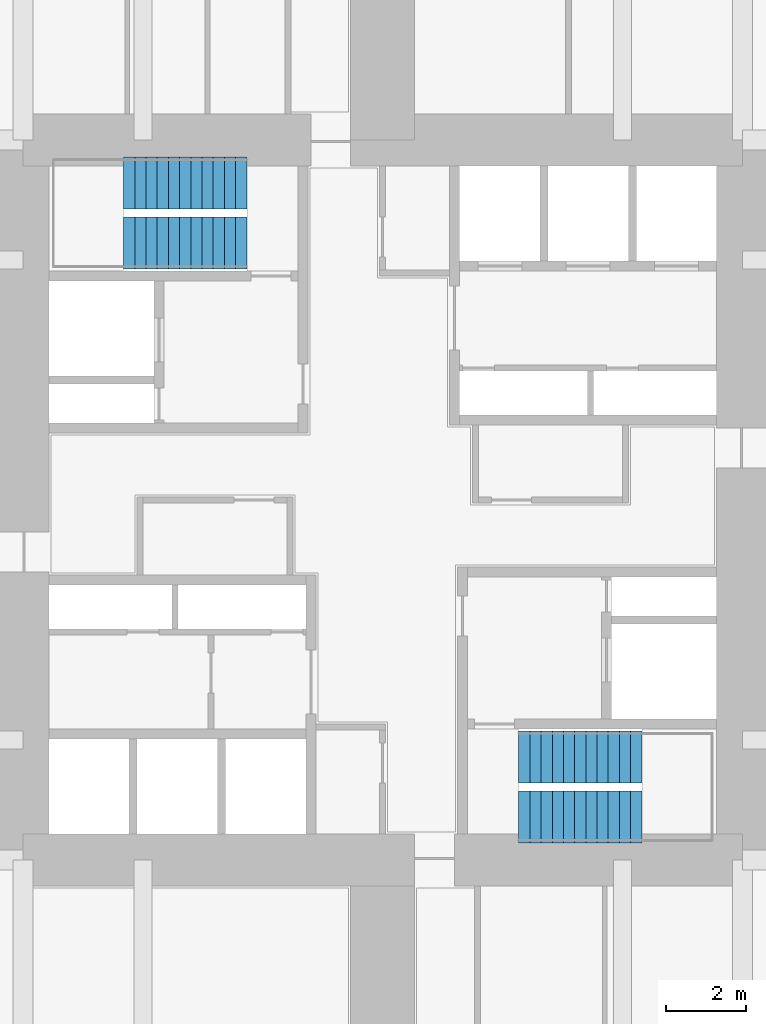
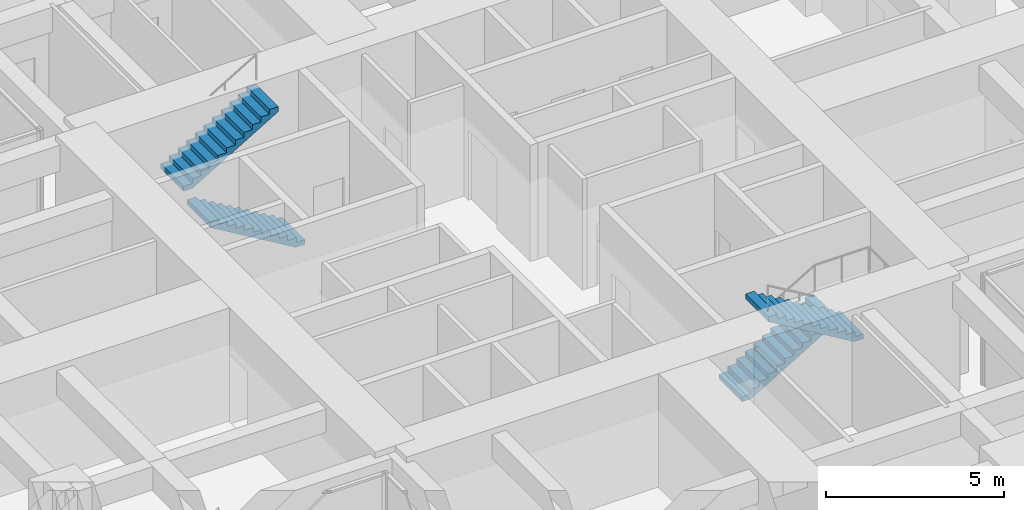
# One storey, part 12 of 13: 4 stair flights, 2 elements without a shape of their own.
"""IFC4 building model written with IfcOpenShell, lengths in metres."""

from ifc_helpers import new_model, si_unit, direction, frame, origin, place, context, subcontext, project, spatial, polyline, outline, extrude, material, type_object, element, aggregate, save


model = new_model("IFC4")

# Units and contexts
model_context = context("Model", 3, precision=1e-05, world=origin(), true_north=direction((0.0, 1.0)))
body_context = subcontext(model_context, "Body", "Model", "MODEL_VIEW")
ifc_project = project(units=[si_unit("LENGTHUNIT", "METRE"), si_unit("AREAUNIT", "SQUARE_METRE"), si_unit("VOLUMEUNIT", "CUBIC_METRE"), si_unit("PLANEANGLEUNIT", "RADIAN"), si_unit("MASSUNIT", "GRAM", prefix="KILO")], contexts=[model_context])

# Site, building, storey
site_placement = place(None, origin())
site = spatial("IfcSite", under=ifc_project, at=site_placement, CompositionType="ELEMENT")
building_placement = place(site_placement, origin())
building = spatial("IfcBuilding", under=site, at=building_placement, Name="Torre Cruceta", CompositionType="ELEMENT")
storey_placement = place(building_placement, frame((0.0, 0.0, 23.5)))
storey = spatial("IfcBuildingStorey", under=building, at=storey_placement, Name="L05", CompositionType="ELEMENT", Elevation=23.5)

# Stair, stair flights
ifc_material_1 = material(Name="Concrete G30 (fck 30 MPa)", Category="concrete")
stair_type = type_object("IfcStairType", Name="STAIR HALF-TURN 1300", PredefinedType="HALF_TURN_STAIR", material=ifc_material_1)
stair_1_placement = place(storey_placement, origin())
stair_1 = element("IfcStair", 1, at=stair_1_placement, inside=storey, type_object=stair_type, Name="Stair ST1 L05", PredefinedType="HALF_TURN_STAIR")
ifc_material_2 = material(Name="Concrete G30 (fck 30 MPa)", Category="concrete")
stair_flight_type = type_object("IfcStairFlightType", Name="STAIR FLIGHT 1300", PredefinedType="STRAIGHT", material=ifc_material_2)
stair_flight_1_placement = place(storey_placement, frame((-3.39990234375, 6.425048828125, 0.0), z_axis=(0.0, 0.0, 1.0), x_axis=(-1.0, 0.0, 0.0)))
stair_flight_1 = element("IfcStairFlight", 2, at=stair_flight_1_placement, type_object=stair_flight_type, Name="ST1 flight 1", NumberOfRisers=12, NumberOfTreads=11, PredefinedType="STRAIGHT", RiserHeight=0.166666667, TreadLength=0.28, context=body_context, shape_type="SweptSolid", body=[
    extrude(outline(polyline([(0.0, 0.0), (0.0, 0.166748046875), (0.280029296875, 0.166748046875), (0.280029296875, 0.333251953125), (0.56005859375, 0.333251953125), (0.56005859375, 0.5), (0.840087890625, 0.5), (0.840087890625, 0.666748046875), (1.1201171875, 0.666748046875), (1.1201171875, 0.833251953125), (1.39990234375, 0.833251953125), (1.39990234375, 1.0), (1.679931640625, 1.0), (1.679931640625, 1.166748046875), (1.9599609375, 1.166748046875), (1.9599609375, 1.333251953125), (2.239990234375, 1.333251953125), (2.239990234375, 1.5), (2.52001953125, 1.5), (2.52001953125, 1.666748046875), (2.800048828125, 1.666748046875), (2.800048828125, 1.833251953125), (3.080078125, 1.833251953125), (3.080078125, 2.0), (3.080078125, 1.658935546875), (0.29296875, 0.0), (0.0, 0.0)])), frame((0.0, 0.64990234375, 0.0), z_axis=(0.0, -1.0, 0.0), x_axis=(1.0, 0.0, 0.0)), (0.0, 0.0, 1.0), 1.300048828125),
])
stair_flight_2_placement = place(storey_placement, frame((-6.47998046875, 7.925048828125, 2.0), z_axis=(0.0, 0.0, 1.0), x_axis=(1.0, 0.0, 0.0)))
stair_flight_2 = element("IfcStairFlight", 3, at=stair_flight_2_placement, type_object=stair_flight_type, Name="ST1 flight 2", NumberOfRisers=12, NumberOfTreads=11, PredefinedType="STRAIGHT", RiserHeight=0.166666667, TreadLength=0.28, context=body_context, shape_type="SweptSolid", body=[
    extrude(outline(polyline([(0.0, 0.0), (0.0, 0.166748046875), (0.280029296875, 0.166748046875), (0.280029296875, 0.333251953125), (0.56005859375, 0.333251953125), (0.56005859375, 0.5), (0.840087890625, 0.5), (0.840087890625, 0.666748046875), (1.1201171875, 0.666748046875), (1.1201171875, 0.833251953125), (1.39990234375, 0.833251953125), (1.39990234375, 1.0), (1.679931640625, 1.0), (1.679931640625, 1.166748046875), (1.9599609375, 1.166748046875), (1.9599609375, 1.333251953125), (2.239990234375, 1.333251953125), (2.239990234375, 1.5), (2.52001953125, 1.5), (2.52001953125, 1.666748046875), (2.800048828125, 1.666748046875), (2.800048828125, 1.833251953125), (3.080078125, 1.833251953125), (3.080078125, 2.0), (3.080078125, 1.658935546875), (0.29296875, 0.0), (0.0, 0.0)])), frame((0.0, 0.64990234375, 0.0), z_axis=(0.0, -1.0, 0.0), x_axis=(1.0, 0.0, 0.0)), (0.0, 0.0, 1.0), 1.300048828125),
])
aggregate(stair_1, [stair_flight_1, stair_flight_2])

stair_2_placement = place(storey_placement, origin())
stair_2 = element("IfcStair", 4, at=stair_2_placement, inside=storey, type_object=stair_type, Name="Stair ST2 L05", PredefinedType="HALF_TURN_STAIR")
stair_flight_3_placement = place(storey_placement, frame((3.39990234375, -6.425048828125, 0.0), z_axis=(0.0, 0.0, 1.0), x_axis=(1.0, 0.0, 0.0)))
stair_flight_3 = element("IfcStairFlight", 5, at=stair_flight_3_placement, type_object=stair_flight_type, Name="ST2 flight 1", NumberOfRisers=12, NumberOfTreads=11, PredefinedType="STRAIGHT", RiserHeight=0.166666667, TreadLength=0.28, context=body_context, shape_type="SweptSolid", body=[
    extrude(outline(polyline([(0.0, 0.0), (0.0, 0.166748046875), (0.280029296875, 0.166748046875), (0.280029296875, 0.333251953125), (0.56005859375, 0.333251953125), (0.56005859375, 0.5), (0.840087890625, 0.5), (0.840087890625, 0.666748046875), (1.1201171875, 0.666748046875), (1.1201171875, 0.833251953125), (1.39990234375, 0.833251953125), (1.39990234375, 1.0), (1.679931640625, 1.0), (1.679931640625, 1.166748046875), (1.9599609375, 1.166748046875), (1.9599609375, 1.333251953125), (2.239990234375, 1.333251953125), (2.239990234375, 1.5), (2.52001953125, 1.5), (2.52001953125, 1.666748046875), (2.800048828125, 1.666748046875), (2.800048828125, 1.833251953125), (3.080078125, 1.833251953125), (3.080078125, 2.0), (3.080078125, 1.658935546875), (0.29296875, 0.0), (0.0, 0.0)])), frame((0.0, 0.64990234375, 0.0), z_axis=(0.0, -1.0, 0.0), x_axis=(1.0, 0.0, 0.0)), (0.0, 0.0, 1.0), 1.300048828125),
])
stair_flight_4_placement = place(storey_placement, frame((6.47998046875, -7.925048828125, 2.0), z_axis=(0.0, 0.0, 1.0), x_axis=(-1.0, 0.0, 0.0)))
stair_flight_4 = element("IfcStairFlight", 6, at=stair_flight_4_placement, type_object=stair_flight_type, Name="ST2 flight 2", NumberOfRisers=12, NumberOfTreads=11, PredefinedType="STRAIGHT", RiserHeight=0.166666667, TreadLength=0.28, context=body_context, shape_type="SweptSolid", body=[
    extrude(outline(polyline([(0.0, 0.0), (0.0, 0.166748046875), (0.280029296875, 0.166748046875), (0.280029296875, 0.333251953125), (0.56005859375, 0.333251953125), (0.56005859375, 0.5), (0.840087890625, 0.5), (0.840087890625, 0.666748046875), (1.1201171875, 0.666748046875), (1.1201171875, 0.833251953125), (1.39990234375, 0.833251953125), (1.39990234375, 1.0), (1.679931640625, 1.0), (1.679931640625, 1.166748046875), (1.9599609375, 1.166748046875), (1.9599609375, 1.333251953125), (2.239990234375, 1.333251953125), (2.239990234375, 1.5), (2.52001953125, 1.5), (2.52001953125, 1.666748046875), (2.800048828125, 1.666748046875), (2.800048828125, 1.833251953125), (3.080078125, 1.833251953125), (3.080078125, 2.0), (3.080078125, 1.658935546875), (0.29296875, 0.0), (0.0, 0.0)])), frame((0.0, 0.64990234375, 0.0), z_axis=(0.0, -1.0, 0.0), x_axis=(1.0, 0.0, 0.0)), (0.0, 0.0, 1.0), 1.300048828125),
])
aggregate(stair_2, [stair_flight_3, stair_flight_4])

save(model, "model.ifc")
